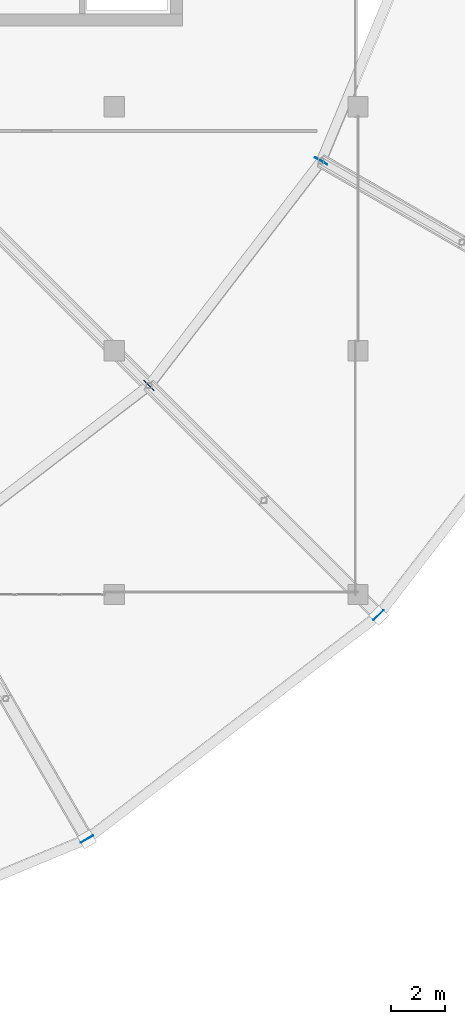
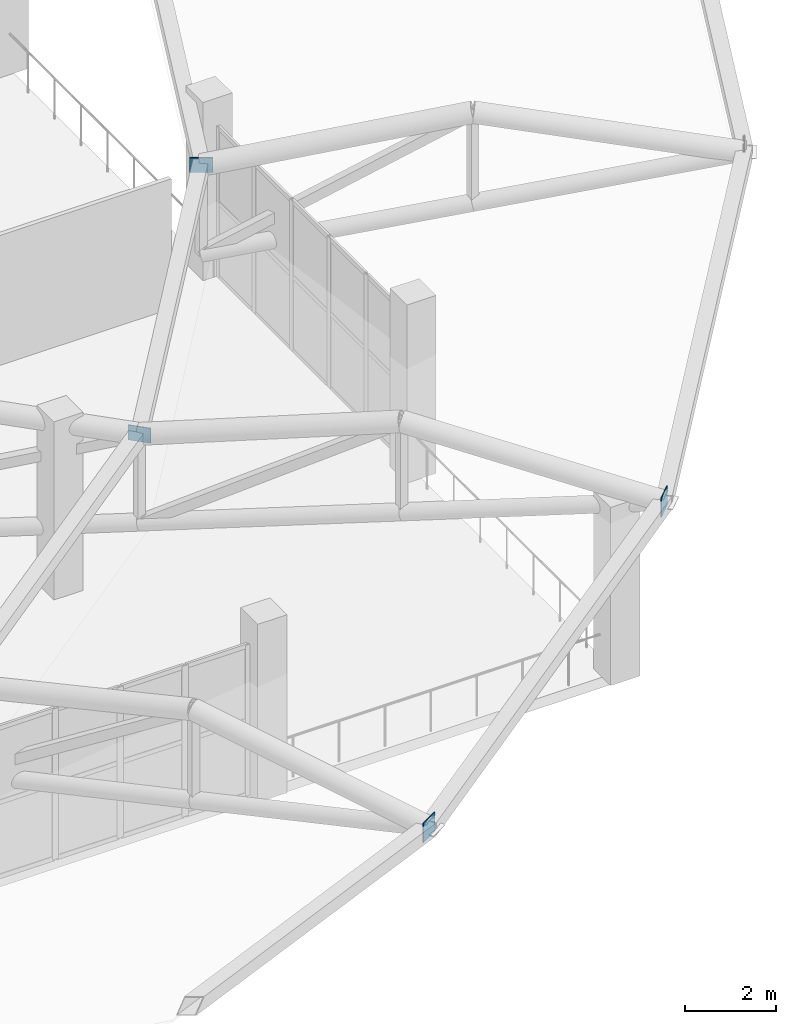
# One storey, part 127 of 167: 4 plates.
"""IFC4 building model written with IfcOpenShell, lengths in metres."""

from ifc_helpers import new_model, si_unit, direction, frame, origin, origin_2d, place, context, subcontext, project, spatial, rectangle, extrude, material, layer, layer_set, type_object, element, save


model = new_model("IFC4")

# Units and contexts
model_context = context("Model", 3, precision=1e-05, world=origin(), true_north=direction((0.0, 1.0)))
body_context = subcontext(model_context, "Body", "Model", "MODEL_VIEW")
ifc_project = project(units=[si_unit("LENGTHUNIT", "METRE"), si_unit("AREAUNIT", "SQUARE_METRE"), si_unit("VOLUMEUNIT", "CUBIC_METRE"), si_unit("PLANEANGLEUNIT", "RADIAN"), si_unit("MASSUNIT", "GRAM", prefix="KILO")], contexts=[model_context])

# Site, building, storey
site_placement = place(None, origin())
site = spatial("IfcSite", under=ifc_project, at=site_placement, CompositionType="ELEMENT")
building_placement = place(site_placement, origin())
building = spatial("IfcBuilding", under=site, at=building_placement, Name="Dornveld Trade and Exhibition Forum", CompositionType="ELEMENT")
storey_placement = place(building_placement, frame((0.0, 0.0, 16.800048828125)))
storey = spatial("IfcBuildingStorey", under=building, at=storey_placement, Name="L03", CompositionType="ELEMENT", Elevation=16.800048828125)

# Plates
ifc_material_1 = material(Name="Steel S355J2", Category="steel")
ifc_layer_1 = layer(ifc_material_1, 0.02001953125)
ifc_layer_set_1 = layer_set([ifc_layer_1], Name="Steel S355J2")
plate_type_1 = type_object("IfcPlateType", Name="PL-CAP-520x20", PredefinedType="SHEET", material=ifc_layer_set_1)
for number, where, z_axis, x_axis, name in (
    (1, (142.9951171875, 35.97509765625, 4.5400390625), (0.0, 0.0, 1.0), (0.5, -0.866025403784, 0.0), "Floating roof disc radial tip cap plate 21"),
    (2, (153.761962890625, 44.238037109375, 4.5400390625), (0.0, 0.0, 1.0), (0.707106781187, -0.707106781187, 0.0), "Floating roof disc radial tip cap plate 22"),
):
    element("IfcPlate", number, at=place(storey_placement, frame(where, z_axis=z_axis, x_axis=x_axis)), inside=storey, type_object=plate_type_1, Name=name, PredefinedType="SHEET", context=body_context, shape_type="SweptSolid", body=[
        extrude(rectangle(XDim=0.02001953125, YDim=0.52001953125, at=origin_2d()), origin(), (0.0, 0.0, 1.0), 0.52001953125),
    ])
ifc_material_2 = material(Name="Steel S355J2", Category="steel")
ifc_layer_2 = layer(ifc_material_2, 0.01806640625)
ifc_layer_set_2 = layer_set([ifc_layer_2], Name="Steel S355J2")
plate_type_2 = type_object("IfcPlateType", Name="PL-NODE-06", PredefinedType="USERDEFINED", material=ifc_layer_set_2)
plate_1_placement = place(storey_placement, frame((145.2841796875, 52.7158203125, 4.25), z_axis=(0.0, 0.0, 1.0), x_axis=(0.707106781187, -0.707106781187, 0.0)))
element("IfcPlate", 3, at=plate_1_placement, inside=storey, type_object=plate_type_2, Name="Floating disc core-ring gusset 22", ObjectType="GUSSET", PredefinedType="USERDEFINED", context=body_context, shape_type="SweptSolid", body=[
    extrude(rectangle(XDim=0.52001953125, YDim=0.028076171875, at=origin_2d()), origin(), (0.0, 0.0, 1.0), 0.39990234375),
])
ifc_material_3 = material(Name="Steel S355J2", Category="steel")
ifc_layer_3 = layer(ifc_material_3, 0.01611328125)
ifc_layer_set_3 = layer_set([ifc_layer_3], Name="Steel S355J2")
plate_type_3 = type_object("IfcPlateType", Name="PL-NODE-07", PredefinedType="USERDEFINED", material=ifc_layer_set_3)
plate_2_placement = place(storey_placement, frame((151.64111328125, 61.0, 4.25), z_axis=(0.0, 0.0, 1.0), x_axis=(0.866025403784, -0.5, 0.0)))
element("IfcPlate", 4, at=plate_2_placement, inside=storey, type_object=plate_type_3, Name="Floating disc core-ring gusset 23", ObjectType="GUSSET", PredefinedType="USERDEFINED", context=body_context, shape_type="SweptSolid", body=[
    extrude(rectangle(XDim=0.52001953125, YDim=0.028076171875, at=origin_2d()), origin(), (0.0, 0.0, 1.0), 0.39990234375),
])

save(model, "model.ifc")
